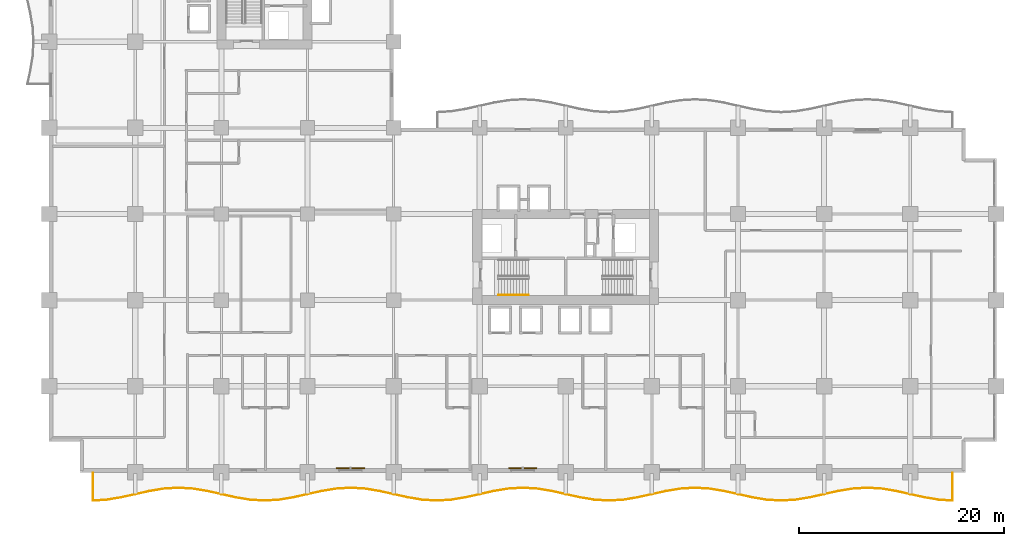
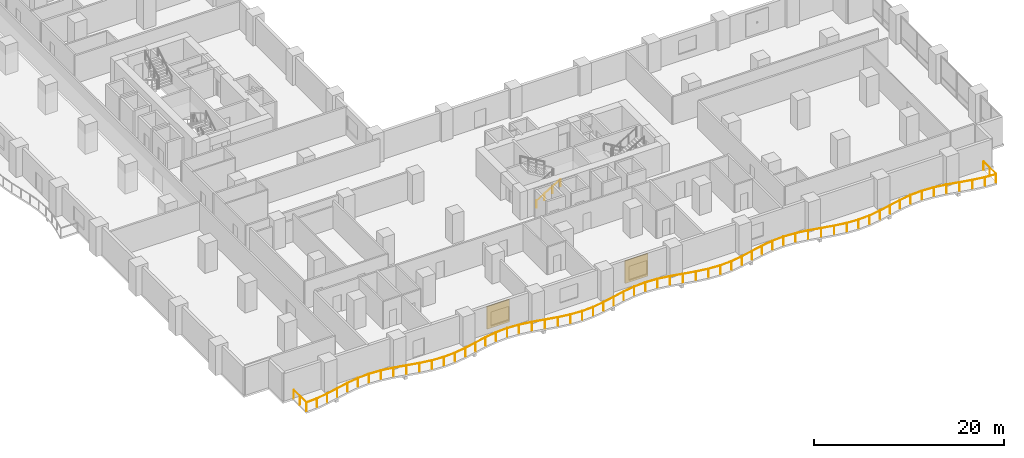
# One storey, part 22 of 27: 2 railings, 2 shading devices.
"""IFC4 building model written with IfcOpenShell, lengths in metres."""

from ifc_helpers import new_model, si_unit, direction, frame, origin, origin_2d, place, context, subcontext, project, spatial, rectangle, circle, extrude, material, layer, layer_set, type_object, element, save


model = new_model("IFC4")

# Units and contexts
model_context = context("Model", 3, precision=1e-05, world=origin(), true_north=direction((0.0, 1.0)))
body_context = subcontext(model_context, "Body", "Model", "MODEL_VIEW")
ifc_project = project(units=[si_unit("LENGTHUNIT", "METRE"), si_unit("AREAUNIT", "SQUARE_METRE"), si_unit("VOLUMEUNIT", "CUBIC_METRE"), si_unit("PLANEANGLEUNIT", "RADIAN"), si_unit("MASSUNIT", "GRAM", prefix="KILO")], contexts=[model_context])

# Site, building, storey
site_placement = place(None, origin())
site = spatial("IfcSite", under=ifc_project, at=site_placement, CompositionType="ELEMENT")
building_placement = place(site_placement, origin())
building = spatial("IfcBuilding", under=site, at=building_placement, Name="Koriwani Terraces Tower", CompositionType="ELEMENT")
storey_placement = place(building_placement, frame((0.0, 0.0, 54.800048828125)))
storey = spatial("IfcBuildingStorey", under=building, at=storey_placement, Name="L12", CompositionType="ELEMENT", Elevation=54.800048828125)

# Railings
ifc_material_1 = material(Name="Steel ASTM A572 Grade 50", Category="steel")
railing_type_1 = type_object("IfcRailingType", Name="GUARD_BALUSTRADE_1150", PredefinedType="BALUSTRADE", material=ifc_material_1)
railing_1_placement = place(storey_placement, frame((4.280029296875, -0.080078125, 0.0)))
element("IfcRailing", 1, at=railing_1_placement, inside=storey, type_object=railing_type_1, Name="L12 Balcony Perimeter Safety Balustrade (S)", PredefinedType="BALUSTRADE", context=body_context, shape_type="SweptSolid", body=[
    extrude(circle(Radius=0.02392578125, at=origin_2d()), frame((0.0, 0.0, 1.1259765625), z_axis=(0.0, -1.0, 0.0), x_axis=(1.0, 0.0, 0.0)), (0.0, 0.0, 1.0), 2.68505859375),
    extrude(circle(Radius=0.02392578125, at=origin_2d()), frame((0.0, -2.68505859375, 1.1259765625), z_axis=(0.998218156642, 0.059670023889, 0.0), x_axis=(-0.059670023889, 0.998218156642, 0.0)), (0.0, 0.0, 1.0), 1.3134765625),
    extrude(circle(Radius=0.02392578125, at=origin_2d()), frame((1.31103515625, -2.606689453125, 1.1259765625), z_axis=(0.986907622111, 0.161286532042, 0.0), x_axis=(-0.161286532042, 0.986907622111, 0.0)), (0.0, 0.0, 1.0), 1.412353515625),
    extrude(circle(Radius=0.02392578125, at=origin_2d()), frame((2.704833984375, -2.37890625, 1.1259765625), z_axis=(0.975982393728, 0.217849413893, 0.0), x_axis=(-0.217849413893, 0.975982393728, 0.0)), (0.0, 0.0, 1.0), 2.868896484375),
    extrude(circle(Radius=0.02392578125, at=origin_2d()), frame((5.5048828125, -1.75390625, 1.1259765625), z_axis=(0.986916749742, 0.161230670401, 0.0), x_axis=(-0.161230670401, 0.986916749742, 0.0)), (0.0, 0.0, 1.0), 1.4248046875),
    extrude(circle(Radius=0.02392578125, at=origin_2d()), frame((6.9111328125, -1.524169921875, 1.1259765625), z_axis=(0.998217851573, 0.059675127152, 0.0), x_axis=(-0.059675127152, 0.998217851573, 0.0)), (0.0, 0.0, 1.0), 1.411376953125),
    extrude(circle(Radius=0.02392578125, at=origin_2d()), frame((8.320068359375, -1.43994140625, 1.1259765625), z_axis=(0.998217235442, -0.059685432622, 0.0), x_axis=(0.059685432622, 0.998217235442, 0.0)), (0.0, 0.0, 1.0), 1.4111328125),
    extrude(circle(Radius=0.02392578125, at=origin_2d()), frame((9.728759765625, -1.524169921875, 1.1259765625), z_axis=(0.986921202645, -0.161203411159, 0.0), x_axis=(0.161203411159, 0.986921202645, 0.0)), (0.0, 0.0, 1.0), 1.425048828125),
    extrude(circle(Radius=0.02392578125, at=origin_2d()), frame((11.13525390625, -1.75390625, 1.1259765625), z_axis=(0.97597835464, -0.217867508535, 0.0), x_axis=(0.217867508535, 0.97597835464, 0.0)), (0.0, 0.0, 1.0), 2.86865234375),
    extrude(circle(Radius=0.02392578125, at=origin_2d()), frame((13.93505859375, -2.37890625, 1.1259765625), z_axis=(0.986907622111, -0.161286532042, 0.0), x_axis=(0.161286532042, 0.986907622111, 0.0)), (0.0, 0.0, 1.0), 1.412353515625),
    extrude(circle(Radius=0.02392578125, at=origin_2d()), frame((15.328857421875, -2.606689453125, 1.1259765625), z_axis=(0.998214050326, -0.059738678687, 0.0), x_axis=(0.059738678687, 0.998214050326, 0.0)), (0.0, 0.0, 1.0), 1.3935546875),
    extrude(circle(Radius=0.02392578125, at=origin_2d()), frame((16.719970703125, -2.68994140625, 1.1259765625), z_axis=(0.998214050326, 0.059738678687, 0.0), x_axis=(-0.059738678687, 0.998214050326, 0.0)), (0.0, 0.0, 1.0), 1.3935546875),
    extrude(circle(Radius=0.02392578125, at=origin_2d()), frame((18.111083984375, -2.606689453125, 1.1259765625), z_axis=(0.986907622111, 0.161286532042, 0.0), x_axis=(-0.161286532042, 0.986907622111, 0.0)), (0.0, 0.0, 1.0), 1.412353515625),
    extrude(circle(Radius=0.02392578125, at=origin_2d()), frame((19.5048828125, -2.37890625, 1.1259765625), z_axis=(0.97597835464, 0.217867508535, 0.0), x_axis=(-0.217867508535, 0.97597835464, 0.0)), (0.0, 0.0, 1.0), 2.86865234375),
    extrude(circle(Radius=0.02392578125, at=origin_2d()), frame((22.3046875, -1.75390625, 1.1259765625), z_axis=(0.986921202645, 0.161203411159, 0.0), x_axis=(-0.161203411159, 0.986921202645, 0.0)), (0.0, 0.0, 1.0), 1.425048828125),
    extrude(circle(Radius=0.02392578125, at=origin_2d()), frame((23.711181640625, -1.524169921875, 1.1259765625), z_axis=(0.998217235442, 0.059685432622, 0.0), x_axis=(-0.059685432622, 0.998217235442, 0.0)), (0.0, 0.0, 1.0), 1.4111328125),
    extrude(circle(Radius=0.02392578125, at=origin_2d()), frame((25.119873046875, -1.43994140625, 1.1259765625), z_axis=(0.998217851573, -0.059675127152, 0.0), x_axis=(0.059675127152, 0.998217851573, 0.0)), (0.0, 0.0, 1.0), 1.411376953125),
    extrude(circle(Radius=0.02392578125, at=origin_2d()), frame((26.52880859375, -1.524169921875, 1.1259765625), z_axis=(0.986916749742, -0.161230670401, 0.0), x_axis=(0.161230670401, 0.986916749742, 0.0)), (0.0, 0.0, 1.0), 1.4248046875),
    extrude(circle(Radius=0.02392578125, at=origin_2d()), frame((27.93505859375, -1.75390625, 1.1259765625), z_axis=(0.975982393728, -0.217849413893, 0.0), x_axis=(0.217849413893, 0.975982393728, 0.0)), (0.0, 0.0, 1.0), 2.868896484375),
    extrude(circle(Radius=0.02392578125, at=origin_2d()), frame((30.735107421875, -2.37890625, 1.1259765625), z_axis=(0.986907622111, -0.161286532042, 0.0), x_axis=(0.161286532042, 0.986907622111, 0.0)), (0.0, 0.0, 1.0), 1.412353515625),
    extrude(circle(Radius=0.02392578125, at=origin_2d()), frame((32.12890625, -2.606689453125, 1.1259765625), z_axis=(0.998214050326, -0.059738678687, 0.0), x_axis=(0.059738678687, 0.998214050326, 0.0)), (0.0, 0.0, 1.0), 1.3935546875),
    extrude(circle(Radius=0.02392578125, at=origin_2d()), frame((33.52001953125, -2.68994140625, 1.1259765625), z_axis=(0.998214050326, 0.059738678687, 0.0), x_axis=(-0.059738678687, 0.998214050326, 0.0)), (0.0, 0.0, 1.0), 1.3935546875),
    extrude(circle(Radius=0.02392578125, at=origin_2d()), frame((34.9111328125, -2.606689453125, 1.1259765625), z_axis=(0.986903124066, 0.16131405304, 0.0), x_axis=(-0.16131405304, 0.986903124066, 0.0)), (0.0, 0.0, 1.0), 1.412109375),
    extrude(circle(Radius=0.02392578125, at=origin_2d()), frame((36.3046875, -2.37890625, 1.1259765625), z_axis=(0.975982393728, 0.217849413893, 0.0), x_axis=(-0.217849413893, 0.975982393728, 0.0)), (0.0, 0.0, 1.0), 2.868896484375),
    extrude(circle(Radius=0.02392578125, at=origin_2d()), frame((39.104736328125, -1.75390625, 1.1259765625), z_axis=(0.986921202645, 0.161203411159, 0.0), x_axis=(-0.161203411159, 0.986921202645, 0.0)), (0.0, 0.0, 1.0), 1.425048828125),
    extrude(circle(Radius=0.02392578125, at=origin_2d()), frame((40.51123046875, -1.524169921875, 1.1259765625), z_axis=(0.998217235442, 0.059685432622, 0.0), x_axis=(-0.059685432622, 0.998217235442, 0.0)), (0.0, 0.0, 1.0), 1.4111328125),
    extrude(circle(Radius=0.02392578125, at=origin_2d()), frame((41.919921875, -1.43994140625, 1.1259765625), z_axis=(0.998217851573, -0.059675127152, 0.0), x_axis=(0.059675127152, 0.998217851573, 0.0)), (0.0, 0.0, 1.0), 1.411376953125),
    extrude(circle(Radius=0.02392578125, at=origin_2d()), frame((43.328857421875, -1.524169921875, 1.1259765625), z_axis=(0.986916749742, -0.161230670401, 0.0), x_axis=(0.161230670401, 0.986916749742, 0.0)), (0.0, 0.0, 1.0), 1.4248046875),
    extrude(circle(Radius=0.02392578125, at=origin_2d()), frame((44.735107421875, -1.75390625, 1.1259765625), z_axis=(0.975982393728, -0.217849413893, 0.0), x_axis=(0.217849413893, 0.975982393728, 0.0)), (0.0, 0.0, 1.0), 2.868896484375),
    extrude(circle(Radius=0.02392578125, at=origin_2d()), frame((47.53515625, -2.37890625, 1.1259765625), z_axis=(0.986907622111, -0.161286532042, 0.0), x_axis=(0.161286532042, 0.986907622111, 0.0)), (0.0, 0.0, 1.0), 1.412353515625),
    extrude(circle(Radius=0.02392578125, at=origin_2d()), frame((48.928955078125, -2.606689453125, 1.1259765625), z_axis=(0.998214050326, -0.059738678687, 0.0), x_axis=(0.059738678687, 0.998214050326, 0.0)), (0.0, 0.0, 1.0), 1.3935546875),
    extrude(circle(Radius=0.02392578125, at=origin_2d()), frame((50.320068359375, -2.68994140625, 1.1259765625), z_axis=(0.998214050326, 0.059738678687, 0.0), x_axis=(-0.059738678687, 0.998214050326, 0.0)), (0.0, 0.0, 1.0), 1.3935546875),
    extrude(circle(Radius=0.02392578125, at=origin_2d()), frame((51.711181640625, -2.606689453125, 1.1259765625), z_axis=(0.986903124066, 0.16131405304, 0.0), x_axis=(-0.16131405304, 0.986903124066, 0.0)), (0.0, 0.0, 1.0), 1.412109375),
    extrude(circle(Radius=0.02392578125, at=origin_2d()), frame((53.104736328125, -2.37890625, 1.1259765625), z_axis=(0.975982393728, 0.217849413893, 0.0), x_axis=(-0.217849413893, 0.975982393728, 0.0)), (0.0, 0.0, 1.0), 2.868896484375),
    extrude(circle(Radius=0.02392578125, at=origin_2d()), frame((55.90478515625, -1.75390625, 1.1259765625), z_axis=(0.986921202645, 0.161203411159, 0.0), x_axis=(-0.161203411159, 0.986921202645, 0.0)), (0.0, 0.0, 1.0), 1.425048828125),
    extrude(circle(Radius=0.02392578125, at=origin_2d()), frame((57.311279296875, -1.524169921875, 1.1259765625), z_axis=(0.998217235442, 0.059685432622, 0.0), x_axis=(-0.059685432622, 0.998217235442, 0.0)), (0.0, 0.0, 1.0), 1.4111328125),
    extrude(circle(Radius=0.02392578125, at=origin_2d()), frame((58.719970703125, -1.43994140625, 1.1259765625), z_axis=(0.998217235442, -0.059685432622, 0.0), x_axis=(0.059685432622, 0.998217235442, 0.0)), (0.0, 0.0, 1.0), 1.4111328125),
    extrude(circle(Radius=0.02392578125, at=origin_2d()), frame((60.128662109375, -1.524169921875, 1.1259765625), z_axis=(0.986921202645, -0.161203411159, 0.0), x_axis=(0.161203411159, 0.986921202645, 0.0)), (0.0, 0.0, 1.0), 1.425048828125),
    extrude(circle(Radius=0.02392578125, at=origin_2d()), frame((61.53515625, -1.75390625, 1.1259765625), z_axis=(0.975982393728, -0.217849413893, 0.0), x_axis=(0.217849413893, 0.975982393728, 0.0)), (0.0, 0.0, 1.0), 2.868896484375),
    extrude(circle(Radius=0.02392578125, at=origin_2d()), frame((64.335205078125, -2.37890625, 1.1259765625), z_axis=(0.986903124066, -0.16131405304, 0.0), x_axis=(0.16131405304, 0.986903124066, 0.0)), (0.0, 0.0, 1.0), 1.412109375),
    extrude(circle(Radius=0.02392578125, at=origin_2d()), frame((65.728759765625, -2.606689453125, 1.1259765625), z_axis=(0.998214050326, -0.059738678687, 0.0), x_axis=(0.059738678687, 0.998214050326, 0.0)), (0.0, 0.0, 1.0), 1.3935546875),
    extrude(circle(Radius=0.02392578125, at=origin_2d()), frame((67.119873046875, -2.68994140625, 1.1259765625), z_axis=(0.998214050326, 0.059738678687, 0.0), x_axis=(-0.059738678687, 0.998214050326, 0.0)), (0.0, 0.0, 1.0), 1.3935546875),
    extrude(circle(Radius=0.02392578125, at=origin_2d()), frame((68.510986328125, -2.606689453125, 1.1259765625), z_axis=(0.986907622111, 0.161286532042, 0.0), x_axis=(-0.161286532042, 0.986907622111, 0.0)), (0.0, 0.0, 1.0), 1.412353515625),
    extrude(circle(Radius=0.02392578125, at=origin_2d()), frame((69.90478515625, -2.37890625, 1.1259765625), z_axis=(0.975982393728, 0.217849413893, 0.0), x_axis=(-0.217849413893, 0.975982393728, 0.0)), (0.0, 0.0, 1.0), 2.868896484375),
    extrude(circle(Radius=0.02392578125, at=origin_2d()), frame((72.704833984375, -1.75390625, 1.1259765625), z_axis=(0.986916749742, 0.161230670401, 0.0), x_axis=(-0.161230670401, 0.986916749742, 0.0)), (0.0, 0.0, 1.0), 1.4248046875),
    extrude(circle(Radius=0.02392578125, at=origin_2d()), frame((74.111083984375, -1.524169921875, 1.1259765625), z_axis=(0.998217851573, 0.059675127152, 0.0), x_axis=(-0.059675127152, 0.998217851573, 0.0)), (0.0, 0.0, 1.0), 1.411376953125),
    extrude(circle(Radius=0.02392578125, at=origin_2d()), frame((75.52001953125, -1.43994140625, 1.1259765625), z_axis=(0.998217235442, -0.059685432622, 0.0), x_axis=(0.059685432622, 0.998217235442, 0.0)), (0.0, 0.0, 1.0), 1.4111328125),
    extrude(circle(Radius=0.02392578125, at=origin_2d()), frame((76.9287109375, -1.524169921875, 1.1259765625), z_axis=(0.986921202645, -0.161203411159, 0.0), x_axis=(0.161203411159, 0.986921202645, 0.0)), (0.0, 0.0, 1.0), 1.425048828125),
    extrude(circle(Radius=0.02392578125, at=origin_2d()), frame((78.335205078125, -1.75390625, 1.1259765625), z_axis=(0.975982393728, -0.217849413893, 0.0), x_axis=(0.217849413893, 0.975982393728, 0.0)), (0.0, 0.0, 1.0), 2.868896484375),
    extrude(circle(Radius=0.02392578125, at=origin_2d()), frame((81.13525390625, -2.37890625, 1.1259765625), z_axis=(0.986903124066, -0.16131405304, 0.0), x_axis=(0.16131405304, 0.986903124066, 0.0)), (0.0, 0.0, 1.0), 1.412109375),
    extrude(circle(Radius=0.02392578125, at=origin_2d()), frame((82.52880859375, -2.606689453125, 1.1259765625), z_axis=(0.998218818314, -0.059658953766, 0.0), x_axis=(0.059658953766, 0.998218818314, 0.0)), (0.0, 0.0, 1.0), 1.313720703125),
    extrude(circle(Radius=0.02392578125, at=origin_2d()), frame((83.840087890625, -2.68505859375, 1.1259765625), z_axis=(0.0, 1.0, 0.0), x_axis=(-1.0, 0.0, 0.0)), (0.0, 0.0, 1.0), 2.68505859375),
    extrude(circle(Radius=0.02099609375, at=origin_2d()), origin(), (0.0, 0.0, 1.0), 1.101806640625),
    extrude(circle(Radius=0.02099609375, at=origin_2d()), frame((0.0, -1.342529296875, 0.0)), (0.0, 0.0, 1.0), 1.101806640625),
    extrude(circle(Radius=0.02099609375, at=origin_2d()), frame((0.0, -2.68505859375, 0.0)), (0.0, 0.0, 1.0), 1.101806640625),
    extrude(circle(Radius=0.02099609375, at=origin_2d()), frame((1.31103515625, -2.606689453125, 0.0)), (0.0, 0.0, 1.0), 1.101806640625),
    extrude(circle(Radius=0.02099609375, at=origin_2d()), frame((2.704833984375, -2.37890625, 0.0)), (0.0, 0.0, 1.0), 1.101806640625),
    extrude(circle(Radius=0.02099609375, at=origin_2d()), frame((4.10498046875, -2.06640625, 0.0)), (0.0, 0.0, 1.0), 1.101806640625),
    extrude(circle(Radius=0.02099609375, at=origin_2d()), frame((5.5048828125, -1.75390625, 0.0)), (0.0, 0.0, 1.0), 1.101806640625),
    extrude(circle(Radius=0.02099609375, at=origin_2d()), frame((6.9111328125, -1.524169921875, 0.0)), (0.0, 0.0, 1.0), 1.101806640625),
    extrude(circle(Radius=0.02099609375, at=origin_2d()), frame((8.320068359375, -1.43994140625, 0.0)), (0.0, 0.0, 1.0), 1.101806640625),
    extrude(circle(Radius=0.02099609375, at=origin_2d()), frame((9.728759765625, -1.524169921875, 0.0)), (0.0, 0.0, 1.0), 1.101806640625),
    extrude(circle(Radius=0.02099609375, at=origin_2d()), frame((11.13525390625, -1.75390625, 0.0)), (0.0, 0.0, 1.0), 1.101806640625),
    extrude(circle(Radius=0.02099609375, at=origin_2d()), frame((12.53515625, -2.06640625, 0.0)), (0.0, 0.0, 1.0), 1.101806640625),
    extrude(circle(Radius=0.02099609375, at=origin_2d()), frame((13.93505859375, -2.37890625, 0.0)), (0.0, 0.0, 1.0), 1.101806640625),
    extrude(circle(Radius=0.02099609375, at=origin_2d()), frame((15.328857421875, -2.606689453125, 0.0)), (0.0, 0.0, 1.0), 1.101806640625),
    extrude(circle(Radius=0.02099609375, at=origin_2d()), frame((16.719970703125, -2.68994140625, 0.0)), (0.0, 0.0, 1.0), 1.101806640625),
    extrude(circle(Radius=0.02099609375, at=origin_2d()), frame((18.111083984375, -2.606689453125, 0.0)), (0.0, 0.0, 1.0), 1.101806640625),
    extrude(circle(Radius=0.02099609375, at=origin_2d()), frame((19.5048828125, -2.37890625, 0.0)), (0.0, 0.0, 1.0), 1.101806640625),
    extrude(circle(Radius=0.02099609375, at=origin_2d()), frame((20.90478515625, -2.06640625, 0.0)), (0.0, 0.0, 1.0), 1.101806640625),
    extrude(circle(Radius=0.02099609375, at=origin_2d()), frame((22.3046875, -1.75390625, 0.0)), (0.0, 0.0, 1.0), 1.101806640625),
    extrude(circle(Radius=0.02099609375, at=origin_2d()), frame((23.711181640625, -1.524169921875, 0.0)), (0.0, 0.0, 1.0), 1.101806640625),
    extrude(circle(Radius=0.02099609375, at=origin_2d()), frame((25.119873046875, -1.43994140625, 0.0)), (0.0, 0.0, 1.0), 1.101806640625),
    extrude(circle(Radius=0.02099609375, at=origin_2d()), frame((26.52880859375, -1.524169921875, 0.0)), (0.0, 0.0, 1.0), 1.101806640625),
    extrude(circle(Radius=0.02099609375, at=origin_2d()), frame((27.93505859375, -1.75390625, 0.0)), (0.0, 0.0, 1.0), 1.101806640625),
    extrude(circle(Radius=0.02099609375, at=origin_2d()), frame((29.3349609375, -2.06640625, 0.0)), (0.0, 0.0, 1.0), 1.101806640625),
    extrude(circle(Radius=0.02099609375, at=origin_2d()), frame((30.735107421875, -2.37890625, 0.0)), (0.0, 0.0, 1.0), 1.101806640625),
    extrude(circle(Radius=0.02099609375, at=origin_2d()), frame((32.12890625, -2.606689453125, 0.0)), (0.0, 0.0, 1.0), 1.101806640625),
    extrude(circle(Radius=0.02099609375, at=origin_2d()), frame((33.52001953125, -2.68994140625, 0.0)), (0.0, 0.0, 1.0), 1.101806640625),
    extrude(circle(Radius=0.02099609375, at=origin_2d()), frame((34.9111328125, -2.606689453125, 0.0)), (0.0, 0.0, 1.0), 1.101806640625),
    extrude(circle(Radius=0.02099609375, at=origin_2d()), frame((36.3046875, -2.37890625, 0.0)), (0.0, 0.0, 1.0), 1.101806640625),
    extrude(circle(Radius=0.02099609375, at=origin_2d()), frame((37.70458984375, -2.06640625, 0.0)), (0.0, 0.0, 1.0), 1.101806640625),
    extrude(circle(Radius=0.02099609375, at=origin_2d()), frame((39.104736328125, -1.75390625, 0.0)), (0.0, 0.0, 1.0), 1.101806640625),
    extrude(circle(Radius=0.02099609375, at=origin_2d()), frame((40.51123046875, -1.524169921875, 0.0)), (0.0, 0.0, 1.0), 1.101806640625),
    extrude(circle(Radius=0.02099609375, at=origin_2d()), frame((41.919921875, -1.43994140625, 0.0)), (0.0, 0.0, 1.0), 1.101806640625),
    extrude(circle(Radius=0.02099609375, at=origin_2d()), frame((43.328857421875, -1.524169921875, 0.0)), (0.0, 0.0, 1.0), 1.101806640625),
    extrude(circle(Radius=0.02099609375, at=origin_2d()), frame((44.735107421875, -1.75390625, 0.0)), (0.0, 0.0, 1.0), 1.101806640625),
    extrude(circle(Radius=0.02099609375, at=origin_2d()), frame((46.13525390625, -2.06640625, 0.0)), (0.0, 0.0, 1.0), 1.101806640625),
    extrude(circle(Radius=0.02099609375, at=origin_2d()), frame((47.53515625, -2.37890625, 0.0)), (0.0, 0.0, 1.0), 1.101806640625),
    extrude(circle(Radius=0.02099609375, at=origin_2d()), frame((48.928955078125, -2.606689453125, 0.0)), (0.0, 0.0, 1.0), 1.101806640625),
    extrude(circle(Radius=0.02099609375, at=origin_2d()), frame((50.320068359375, -2.68994140625, 0.0)), (0.0, 0.0, 1.0), 1.101806640625),
    extrude(circle(Radius=0.02099609375, at=origin_2d()), frame((51.711181640625, -2.606689453125, 0.0)), (0.0, 0.0, 1.0), 1.101806640625),
    extrude(circle(Radius=0.02099609375, at=origin_2d()), frame((53.104736328125, -2.37890625, 0.0)), (0.0, 0.0, 1.0), 1.101806640625),
    extrude(circle(Radius=0.02099609375, at=origin_2d()), frame((54.5048828125, -2.06640625, 0.0)), (0.0, 0.0, 1.0), 1.101806640625),
    extrude(circle(Radius=0.02099609375, at=origin_2d()), frame((55.90478515625, -1.75390625, 0.0)), (0.0, 0.0, 1.0), 1.101806640625),
    extrude(circle(Radius=0.02099609375, at=origin_2d()), frame((57.311279296875, -1.524169921875, 0.0)), (0.0, 0.0, 1.0), 1.101806640625),
    extrude(circle(Radius=0.02099609375, at=origin_2d()), frame((58.719970703125, -1.43994140625, 0.0)), (0.0, 0.0, 1.0), 1.101806640625),
    extrude(circle(Radius=0.02099609375, at=origin_2d()), frame((60.128662109375, -1.524169921875, 0.0)), (0.0, 0.0, 1.0), 1.101806640625),
    extrude(circle(Radius=0.02099609375, at=origin_2d()), frame((61.53515625, -1.75390625, 0.0)), (0.0, 0.0, 1.0), 1.101806640625),
    extrude(circle(Radius=0.02099609375, at=origin_2d()), frame((62.93505859375, -2.06640625, 0.0)), (0.0, 0.0, 1.0), 1.101806640625),
    extrude(circle(Radius=0.02099609375, at=origin_2d()), frame((64.335205078125, -2.37890625, 0.0)), (0.0, 0.0, 1.0), 1.101806640625),
    extrude(circle(Radius=0.02099609375, at=origin_2d()), frame((65.728759765625, -2.606689453125, 0.0)), (0.0, 0.0, 1.0), 1.101806640625),
    extrude(circle(Radius=0.02099609375, at=origin_2d()), frame((67.119873046875, -2.68994140625, 0.0)), (0.0, 0.0, 1.0), 1.101806640625),
    extrude(circle(Radius=0.02099609375, at=origin_2d()), frame((68.510986328125, -2.606689453125, 0.0)), (0.0, 0.0, 1.0), 1.101806640625),
    extrude(circle(Radius=0.02099609375, at=origin_2d()), frame((69.90478515625, -2.37890625, 0.0)), (0.0, 0.0, 1.0), 1.101806640625),
    extrude(circle(Radius=0.02099609375, at=origin_2d()), frame((71.3046875, -2.06640625, 0.0)), (0.0, 0.0, 1.0), 1.101806640625),
    extrude(circle(Radius=0.02099609375, at=origin_2d()), frame((72.704833984375, -1.75390625, 0.0)), (0.0, 0.0, 1.0), 1.101806640625),
    extrude(circle(Radius=0.02099609375, at=origin_2d()), frame((74.111083984375, -1.524169921875, 0.0)), (0.0, 0.0, 1.0), 1.101806640625),
    extrude(circle(Radius=0.02099609375, at=origin_2d()), frame((75.52001953125, -1.43994140625, 0.0)), (0.0, 0.0, 1.0), 1.101806640625),
    extrude(circle(Radius=0.02099609375, at=origin_2d()), frame((76.9287109375, -1.524169921875, 0.0)), (0.0, 0.0, 1.0), 1.101806640625),
    extrude(circle(Radius=0.02099609375, at=origin_2d()), frame((78.335205078125, -1.75390625, 0.0)), (0.0, 0.0, 1.0), 1.101806640625),
    extrude(circle(Radius=0.02099609375, at=origin_2d()), frame((79.7353515625, -2.06640625, 0.0)), (0.0, 0.0, 1.0), 1.101806640625),
    extrude(circle(Radius=0.02099609375, at=origin_2d()), frame((81.13525390625, -2.37890625, 0.0)), (0.0, 0.0, 1.0), 1.101806640625),
    extrude(circle(Radius=0.02099609375, at=origin_2d()), frame((82.52880859375, -2.606689453125, 0.0)), (0.0, 0.0, 1.0), 1.101806640625),
    extrude(circle(Radius=0.02099609375, at=origin_2d()), frame((83.840087890625, -2.68505859375, 0.0)), (0.0, 0.0, 1.0), 1.101806640625),
    extrude(circle(Radius=0.02099609375, at=origin_2d()), frame((83.840087890625, -1.342529296875, 0.0)), (0.0, 0.0, 1.0), 1.101806640625),
    extrude(circle(Radius=0.02099609375, at=origin_2d()), frame((83.840087890625, 0.0, 0.0)), (0.0, 0.0, 1.0), 1.101806640625),
])
railing_type_2 = type_object("IfcRailingType", Name="HANDRAIL_STAIR_920", PredefinedType="HANDRAIL", material=ifc_material_1)
railing_2_placement = place(storey_placement, frame((43.85009765625, 17.300048828125, 0.172607421875)))
element("IfcRailing", 2, at=railing_2_placement, inside=storey, type_object=railing_type_2, Name="L12 ST-E1 stair handrail 1", PredefinedType="HANDRAIL", context=body_context, shape_type="SweptSolid", body=[
    extrude(circle(Radius=0.02392578125, at=origin_2d()), frame((0.0, 0.0, 0.8759765625), z_axis=(0.859141464434, 0.0, 0.511738159696), x_axis=(0.0, 1.0, 0.0)), (0.0, 0.0, 1.0), 3.375244140625),
    extrude(circle(Radius=0.02099609375, at=origin_2d()), origin(), (0.0, 0.0, 1.0), 0.851806640625),
    extrude(circle(Radius=0.02099609375, at=origin_2d()), frame((0.966552734375, 0.0, 0.57568359375)), (0.0, 0.0, 1.0), 0.851806640625),
    extrude(circle(Radius=0.02099609375, at=origin_2d()), frame((1.933349609375, 0.0, 1.151611328125)), (0.0, 0.0, 1.0), 0.851806640625),
    extrude(circle(Radius=0.02099609375, at=origin_2d()), frame((2.89990234375, 0.0, 1.727294921875)), (0.0, 0.0, 1.0), 0.851806640625),
])

# Shading devices
ifc_material_2 = material(Name="Extruded Terracotta Clay", Category="masonry")
ifc_layer = layer(ifc_material_2, 0.1201171875, Name="Extruded Terracotta Clay")
ifc_layer_set = layer_set([ifc_layer], Name="Extruded Terracotta Clay")
shading_device_type = type_object("IfcShadingDeviceType", Name="TERRACOTTA_BAGUETTE_SCREEN_2800", PredefinedType="USERDEFINED", material=ifc_layer_set)
for number, where, z_axis, x_axis, name in (
    (3, (29.39990234375, 0.405029296875, 0.324951171875), (0.0, 0.0, 1.0), (-1.0, 0.0, 0.0), "L12 Extruded Terracotta Baguette Screen (S-9)"),
    (4, (46.199951171875, 0.405029296875, 0.324951171875), (0.0, 0.0, 1.0), (-1.0, 0.0, 0.0), "L12 Extruded Terracotta Baguette Screen (S-15)"),
):
    element("IfcShadingDevice", number, at=place(storey_placement, frame(where, z_axis=z_axis, x_axis=x_axis)), inside=storey, type_object=shading_device_type, Name=name, ObjectType="BAGUETTE", PredefinedType="USERDEFINED", context=body_context, shape_type="SweptSolid", body=[
        extrude(rectangle(XDim=2.760009765625, YDim=0.1201171875, at=origin_2d()), origin(), (0.0, 0.0, 1.0), 2.89990234375),
    ])

save(model, "model.ifc")
